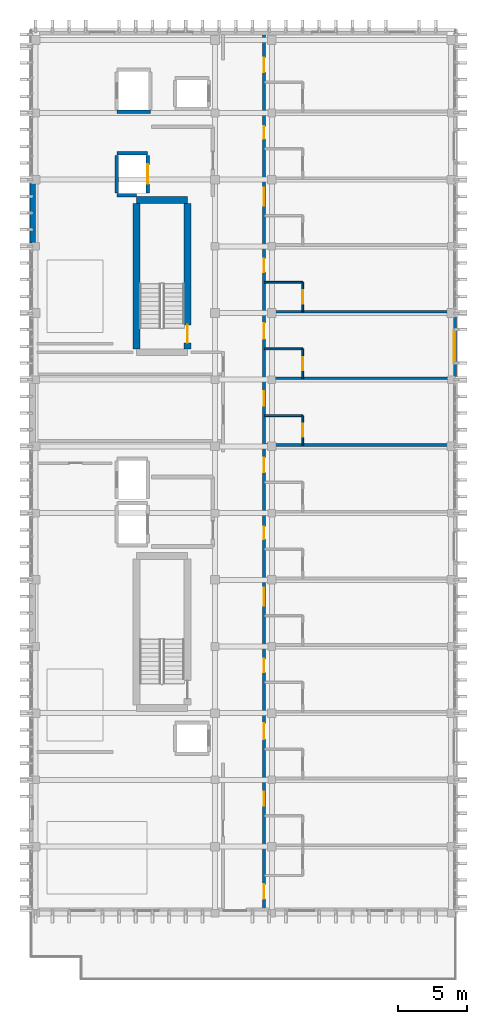
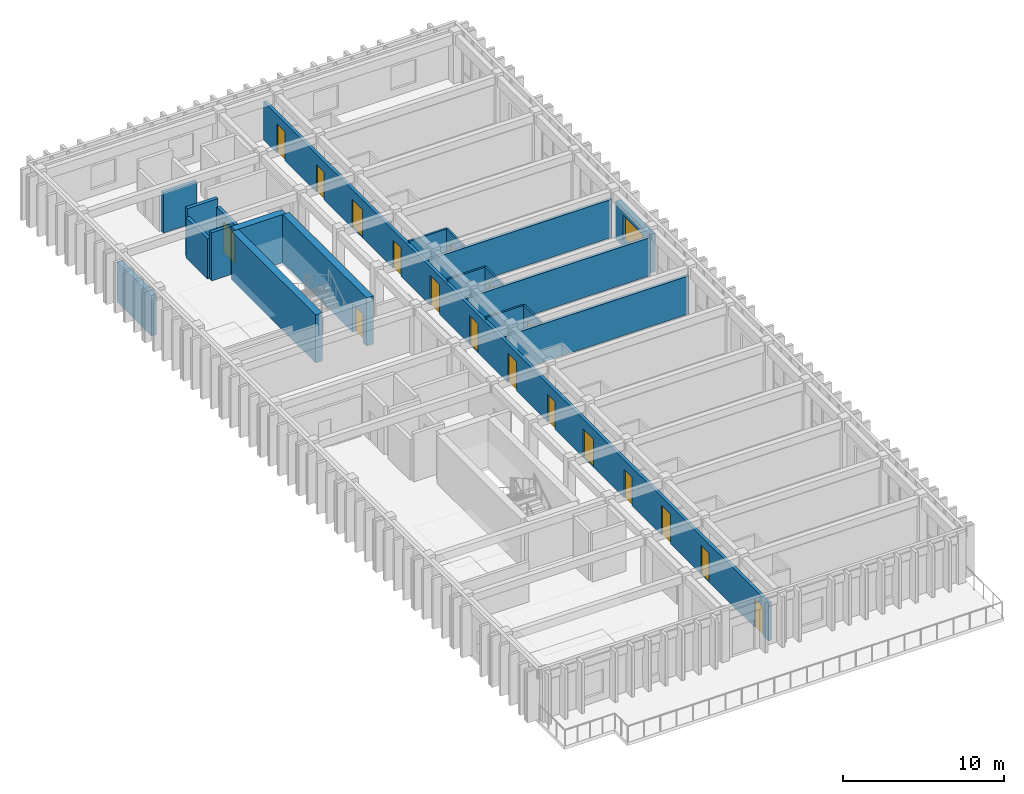
# One storey, part 43 of 50: 20 walls, 18 doors, 1 window, 19 openings.
"""IFC4 building model written with IfcOpenShell, lengths in metres."""

from ifc_helpers import new_model, si_unit, direction, frame, frame_2d, origin, place, context, subcontext, project, spatial, rectangle, extrude, material, layer, layer_set, type_object, element, fill, save


model = new_model("IFC4")

# Units and contexts
model_context = context("Model", 3, precision=1e-05, world=origin(), true_north=direction((0.0, 1.0)))
body_context = subcontext(model_context, "Body", "Model", "MODEL_VIEW")
ifc_project = project(units=[si_unit("LENGTHUNIT", "METRE"), si_unit("AREAUNIT", "SQUARE_METRE"), si_unit("VOLUMEUNIT", "CUBIC_METRE"), si_unit("PLANEANGLEUNIT", "RADIAN"), si_unit("MASSUNIT", "GRAM", prefix="KILO")], contexts=[model_context])

# Site, building, storey
site_placement = place(None, origin())
site = spatial("IfcSite", under=ifc_project, at=site_placement, CompositionType="ELEMENT")
building_placement = place(site_placement, origin())
building = spatial("IfcBuilding", under=site, at=building_placement, Name="Nakhvara Creek Congress Hotel", CompositionType="ELEMENT")
storey_placement = place(building_placement, frame((0.0, 0.0, 42.60009765625)))
storey = spatial("IfcBuildingStorey", under=building, at=storey_placement, Name="L10", CompositionType="ELEMENT", Elevation=42.60009765625)

# Walls
ifc_material_1 = material(Name="Concrete C50/60", Category="concrete")
ifc_layer_1 = layer(ifc_material_1, 0.5)
ifc_layer_set_1 = layer_set([ifc_layer_1], Name="Concrete C50/60")
wall_type_1 = type_object("IfcWallType", Name="W-CORE-500", PredefinedType="SHEAR", material=ifc_layer_set_1)
wall_1_placement = place(storey_placement, frame((156.699951171875, 113.719970703125, 0.0), z_axis=(0.0, 0.0, 1.0), x_axis=(1.0, 0.0, 0.0)))
element("IfcWall", 1, at=wall_1_placement, inside=storey, type_object=wall_type_1, Name="Core Shear Wall WS01-CWALL-L10-0485", PredefinedType="SHEAR", context=body_context, shape_type="SweptSolid", body=[
    extrude(rectangle(XDim=3.670166015625, YDim=0.5, at=frame_2d((1.8349609375, 0.0))), origin(), (0.0, 0.0, 1.0), 3.659912109375),
])
wall_2_placement = place(storey_placement, frame((156.699951171875, 103.0, 0.0), z_axis=(0.0, 0.0, 1.0), x_axis=(0.0, 1.0, 0.0)))
element("IfcWall", 2, at=wall_2_placement, inside=storey, type_object=wall_type_1, Name="Core Shear Wall WS01-CWALL-L10-0486", PredefinedType="SHEAR", context=body_context, shape_type="SweptSolid", body=[
    extrude(rectangle(XDim=10.5, YDim=0.5, at=frame_2d((5.25, 0.0))), origin(), (0.0, 0.0, 1.0), 3.659912109375),
])

# Wall, opening, door
wall_3_placement = place(storey_placement, frame((160.3701171875, 103.0, 0.0), z_axis=(0.0, 0.0, 1.0), x_axis=(0.0, 1.0, 0.0)))
wall_3 = element("IfcWall", 3, at=wall_3_placement, inside=storey, type_object=wall_type_1, Name="Core Shear Wall WS01-CWALL-L10-0487", PredefinedType="SHEAR", context=body_context, shape_type="SweptSolid", body=[
    extrude(rectangle(XDim=10.5, YDim=0.5, at=frame_2d((5.25, 0.0))), origin(), (0.0, 0.0, 1.0), 3.659912109375),
])
opening_1_placement = place(wall_3_placement, frame((0.449951171875, 0.0, 0.0)))
opening_1 = element("IfcOpeningElement", 4, at=opening_1_placement, cuts=wall_3, Name="Opening FD04", PredefinedType="OPENING", context=body_context, shape_type="SweptSolid", body=[
    extrude(rectangle(XDim=1.300048828125, YDim=2.14990234375, at=frame_2d((0.64990234375, 1.074951171875))), frame((0.0, 0.261962890625, 0.0), z_axis=(0.0, -1.0, 0.0), x_axis=(1.0, 0.0, 0.0)), (0.0, 0.0, 1.0), 0.52392578125),
])
ifc_material_2 = material(Name="Powder-coated steel fire door", Category="steel")
door_type_1 = type_object("IfcDoorType", Name="DT-STAIR-130", OperationType="NOTDEFINED", PredefinedType="DOOR", material=ifc_material_2)
door_1_placement = place(opening_1_placement, frame((1.300048828125, 0.0, 0.0), z_axis=(0.0, 0.0, 1.0), x_axis=(-1.0, 0.0, 0.0)))
door_1 = element("IfcDoor", 5, at=door_1_placement, inside=storey, type_object=door_type_1, Name="Stair Exit Door ST02-L10", OperationType="SINGLE_SWING_LEFT", OverallHeight=2.14990234375, OverallWidth=1.300048828125, PredefinedType="DOOR", context=body_context, shape_type="SweptSolid", body=[
    extrude(rectangle(XDim=1.300048828125, YDim=2.14990234375, at=frame_2d((0.64990234375, 1.074951171875))), frame((0.0, 0.02490234375, 0.0), z_axis=(0.0, -1.0, 0.0), x_axis=(1.0, 0.0, 0.0)), (0.0, 0.0, 1.0), 0.050048828125),
])
fill(opening_1, door_1)

# Wall, openings, doors
ifc_material_3 = material(Name="Gypsum acoustic board on steel stud", Category="steel")
ifc_layer_2 = layer(ifc_material_3, 0.219970703125)
ifc_layer_set_2 = layer_set([ifc_layer_2], Name="Gypsum acoustic board on steel stud")
wall_type_2 = type_object("IfcWallType", Name="W-CORR-220", PredefinedType="PARTITIONING", material=ifc_layer_set_2)
wall_4_placement = place(storey_placement, frame((165.8798828125, 62.75, 0.0), z_axis=(0.0, 0.0, 1.0), x_axis=(0.0, 1.0, 0.0)))
wall_4 = element("IfcWall", 6, at=wall_4_placement, inside=storey, type_object=wall_type_2, Name="Interior Wall WP11-IW-L10-0704", PredefinedType="PARTITIONING", context=body_context, shape_type="SweptSolid", body=[
    extrude(rectangle(XDim=62.89990234375, YDim=0.219970703125, at=frame_2d((31.449951171875, 0.0))), origin(), (0.0, 0.0, 1.0), 2.90185546875),
])
opening_2_placement = place(wall_4_placement, frame((0.69091796875, 0.0, 0.0)))
opening_2 = element("IfcOpeningElement", 7, at=opening_2_placement, cuts=wall_4, Name="Opening GD04", PredefinedType="OPENING", context=body_context, shape_type="SweptSolid", body=[
    extrude(rectangle(XDim=1.050048828125, YDim=2.219970703125, at=frame_2d((0.52490234375, 1.10986328125))), frame((0.0, 0.1220703125, 0.0), z_axis=(0.0, -1.0, 0.0), x_axis=(1.0, 0.0, 0.0)), (0.0, 0.0, 1.0), 0.243896484375),
])
opening_3_placement = place(wall_4_placement, frame((7.387939453125, 0.0, 0.0)))
opening_3 = element("IfcOpeningElement", 8, at=opening_3_placement, cuts=wall_4, Name="Opening GD01", PredefinedType="OPENING", context=body_context, shape_type="SweptSolid", body=[
    extrude(rectangle(XDim=1.02001953125, YDim=2.199951171875, at=frame_2d((0.510009765625, 1.10009765625))), frame((0.0, 0.1220703125, 0.0), z_axis=(0.0, -1.0, 0.0), x_axis=(1.0, 0.0, 0.0)), (0.0, 0.0, 1.0), 0.243896484375),
])
opening_4_placement = place(wall_4_placement, frame((12.18798828125, 0.0, 0.0)))
opening_4 = element("IfcOpeningElement", 9, at=opening_4_placement, cuts=wall_4, Name="Opening GD05", PredefinedType="OPENING", context=body_context, shape_type="SweptSolid", body=[
    extrude(rectangle(XDim=1.139892578125, YDim=2.260009765625, at=frame_2d((0.56982421875, 1.1298828125))), frame((0.0, 0.1220703125, 0.0), z_axis=(0.0, -1.0, 0.0), x_axis=(1.0, 0.0, 0.0)), (0.0, 0.0, 1.0), 0.243896484375),
])
opening_5_placement = place(wall_4_placement, frame((16.988037109375, 0.0, 0.0)))
opening_5 = element("IfcOpeningElement", 10, at=opening_5_placement, cuts=wall_4, Name="Opening MD03", PredefinedType="OPENING", context=body_context, shape_type="SweptSolid", body=[
    extrude(rectangle(XDim=0.97998046875, YDim=2.14990234375, at=frame_2d((0.489990234375, 1.074951171875))), frame((0.0, 0.1220703125, 0.0), z_axis=(0.0, -1.0, 0.0), x_axis=(1.0, 0.0, 0.0)), (0.0, 0.0, 1.0), 0.243896484375),
])
opening_6_placement = place(wall_4_placement, frame((21.7880859375, 0.0, 0.0)))
opening_6 = element("IfcOpeningElement", 11, at=opening_6_placement, cuts=wall_4, Name="Opening ID07", PredefinedType="OPENING", context=body_context, shape_type="SweptSolid", body=[
    extrude(rectangle(XDim=1.280029296875, YDim=2.159912109375, at=frame_2d((0.64013671875, 1.080078125))), frame((0.0, 0.1220703125, 0.0), z_axis=(0.0, -1.0, 0.0), x_axis=(1.0, 0.0, 0.0)), (0.0, 0.0, 1.0), 0.243896484375),
])
opening_7_placement = place(wall_4_placement, frame((26.587890625, 0.0, 0.0)))
opening_7 = element("IfcOpeningElement", 12, at=opening_7_placement, cuts=wall_4, Name="Opening ID03", PredefinedType="OPENING", context=body_context, shape_type="SweptSolid", body=[
    extrude(rectangle(XDim=0.89990234375, YDim=2.080078125, at=frame_2d((0.449951171875, 1.0400390625))), frame((0.0, 0.1220703125, 0.0), z_axis=(0.0, -1.0, 0.0), x_axis=(1.0, 0.0, 0.0)), (0.0, 0.0, 1.0), 0.243896484375),
])
opening_8_placement = place(wall_4_placement, frame((31.387939453125, 0.0, 0.0)))
opening_8 = element("IfcOpeningElement", 13, at=opening_8_placement, cuts=wall_4, Name="Opening GD04", PredefinedType="OPENING", context=body_context, shape_type="SweptSolid", body=[
    extrude(rectangle(XDim=1.050048828125, YDim=2.219970703125, at=frame_2d((0.52490234375, 1.10986328125))), frame((0.0, 0.1220703125, 0.0), z_axis=(0.0, -1.0, 0.0), x_axis=(1.0, 0.0, 0.0)), (0.0, 0.0, 1.0), 0.243896484375),
])
opening_9_placement = place(wall_4_placement, frame((36.18798828125, 0.0, 0.0)))
opening_9 = element("IfcOpeningElement", 14, at=opening_9_placement, cuts=wall_4, Name="Opening GD01", PredefinedType="OPENING", context=body_context, shape_type="SweptSolid", body=[
    extrude(rectangle(XDim=1.02001953125, YDim=2.199951171875, at=frame_2d((0.510009765625, 1.10009765625))), frame((0.0, 0.1220703125, 0.0), z_axis=(0.0, -1.0, 0.0), x_axis=(1.0, 0.0, 0.0)), (0.0, 0.0, 1.0), 0.243896484375),
])
opening_10_placement = place(wall_4_placement, frame((40.988037109375, 0.0, 0.0)))
opening_10 = element("IfcOpeningElement", 15, at=opening_10_placement, cuts=wall_4, Name="Opening GD05", PredefinedType="OPENING", context=body_context, shape_type="SweptSolid", body=[
    extrude(rectangle(XDim=1.139892578125, YDim=2.260009765625, at=frame_2d((0.56982421875, 1.1298828125))), frame((0.0, 0.1220703125, 0.0), z_axis=(0.0, -1.0, 0.0), x_axis=(1.0, 0.0, 0.0)), (0.0, 0.0, 1.0), 0.243896484375),
])
opening_11_placement = place(wall_4_placement, frame((45.7880859375, 0.0, 0.0)))
opening_11 = element("IfcOpeningElement", 16, at=opening_11_placement, cuts=wall_4, Name="Opening MD03", PredefinedType="OPENING", context=body_context, shape_type="SweptSolid", body=[
    extrude(rectangle(XDim=0.97998046875, YDim=2.14990234375, at=frame_2d((0.489990234375, 1.074951171875))), frame((0.0, 0.1220703125, 0.0), z_axis=(0.0, -1.0, 0.0), x_axis=(1.0, 0.0, 0.0)), (0.0, 0.0, 1.0), 0.243896484375),
])
opening_12_placement = place(wall_4_placement, frame((50.587890625, 0.0, 0.0)))
opening_12 = element("IfcOpeningElement", 17, at=opening_12_placement, cuts=wall_4, Name="Opening ID07", PredefinedType="OPENING", context=body_context, shape_type="SweptSolid", body=[
    extrude(rectangle(XDim=1.280029296875, YDim=2.159912109375, at=frame_2d((0.64013671875, 1.080078125))), frame((0.0, 0.1220703125, 0.0), z_axis=(0.0, -1.0, 0.0), x_axis=(1.0, 0.0, 0.0)), (0.0, 0.0, 1.0), 0.243896484375),
])
opening_13_placement = place(wall_4_placement, frame((55.387939453125, 0.0, 0.0)))
opening_13 = element("IfcOpeningElement", 18, at=opening_13_placement, cuts=wall_4, Name="Opening ID03", PredefinedType="OPENING", context=body_context, shape_type="SweptSolid", body=[
    extrude(rectangle(XDim=0.89990234375, YDim=2.080078125, at=frame_2d((0.449951171875, 1.0400390625))), frame((0.0, 0.1220703125, 0.0), z_axis=(0.0, -1.0, 0.0), x_axis=(1.0, 0.0, 0.0)), (0.0, 0.0, 1.0), 0.243896484375),
])
opening_14_placement = place(wall_4_placement, frame((60.18798828125, 0.0, 0.0)))
opening_14 = element("IfcOpeningElement", 19, at=opening_14_placement, cuts=wall_4, Name="Opening GD04", PredefinedType="OPENING", context=body_context, shape_type="SweptSolid", body=[
    extrude(rectangle(XDim=1.050048828125, YDim=2.219970703125, at=frame_2d((0.52490234375, 1.10986328125))), frame((0.0, 0.1220703125, 0.0), z_axis=(0.0, -1.0, 0.0), x_axis=(1.0, 0.0, 0.0)), (0.0, 0.0, 1.0), 0.243896484375),
])
ifc_material_4 = material(Name="Brushed stainless-clad BOH door")
door_type_2 = type_object("IfcDoorType", Name="DT-BOH-128", OperationType="NOTDEFINED", PredefinedType="DOOR", material=ifc_material_4)
door_2_placement = place(opening_6_placement, origin())
door_2 = element("IfcDoor", 20, at=door_2_placement, inside=storey, type_object=door_type_2, Name="Interior Door ID07-0522", OperationType="SINGLE_SWING_LEFT", OverallHeight=2.159912109375, OverallWidth=1.280029296875, PredefinedType="DOOR", context=body_context, shape_type="SweptSolid", body=[
    extrude(rectangle(XDim=1.280029296875, YDim=2.159912109375, at=frame_2d((0.64013671875, 1.080078125))), frame((0.0, 0.02490234375, 0.0), z_axis=(0.0, -1.0, 0.0), x_axis=(1.0, 0.0, 0.0)), (0.0, 0.0, 1.0), 0.050048828125),
])
fill(opening_6, door_2)
door_3_placement = place(opening_12_placement, origin())
door_3 = element("IfcDoor", 21, at=door_3_placement, inside=storey, type_object=door_type_2, Name="Interior Door ID07-0534", OperationType="SINGLE_SWING_LEFT", OverallHeight=2.159912109375, OverallWidth=1.280029296875, PredefinedType="DOOR", context=body_context, shape_type="SweptSolid", body=[
    extrude(rectangle(XDim=1.280029296875, YDim=2.159912109375, at=frame_2d((0.64013671875, 1.080078125))), frame((0.0, 0.02490234375, 0.0), z_axis=(0.0, -1.0, 0.0), x_axis=(1.0, 0.0, 0.0)), (0.0, 0.0, 1.0), 0.050048828125),
])
fill(opening_12, door_3)
ifc_material_5 = material(Name="Walnut hardwood timber fire door", Category="wood")
door_type_3 = type_object("IfcDoorType", Name="DT-GUEST-102", OperationType="NOTDEFINED", PredefinedType="DOOR", material=ifc_material_5)
door_4_placement = place(opening_3_placement, origin())
door_4 = element("IfcDoor", 22, at=door_4_placement, inside=storey, type_object=door_type_3, Name="Interior Door GD01-0516", OperationType="SINGLE_SWING_LEFT", OverallHeight=2.199951171875, OverallWidth=1.02001953125, PredefinedType="DOOR", context=body_context, shape_type="SweptSolid", body=[
    extrude(rectangle(XDim=1.02001953125, YDim=2.199951171875, at=frame_2d((0.510009765625, 1.10009765625))), frame((0.0, 0.02490234375, 0.0), z_axis=(0.0, -1.0, 0.0), x_axis=(1.0, 0.0, 0.0)), (0.0, 0.0, 1.0), 0.050048828125),
])
fill(opening_3, door_4)
door_5_placement = place(opening_9_placement, origin())
door_5 = element("IfcDoor", 23, at=door_5_placement, inside=storey, type_object=door_type_3, Name="Interior Door GD01-0528", OperationType="SINGLE_SWING_LEFT", OverallHeight=2.199951171875, OverallWidth=1.02001953125, PredefinedType="DOOR", context=body_context, shape_type="SweptSolid", body=[
    extrude(rectangle(XDim=1.02001953125, YDim=2.199951171875, at=frame_2d((0.510009765625, 1.10009765625))), frame((0.0, 0.02490234375, 0.0), z_axis=(0.0, -1.0, 0.0), x_axis=(1.0, 0.0, 0.0)), (0.0, 0.0, 1.0), 0.050048828125),
])
fill(opening_9, door_5)
door_type_4 = type_object("IfcDoorType", Name="DT-GUEST-105", OperationType="NOTDEFINED", PredefinedType="DOOR", material=ifc_material_5)
door_6_placement = place(opening_2_placement, origin())
door_6 = element("IfcDoor", 24, at=door_6_placement, inside=storey, type_object=door_type_4, Name="Interior Door GD04-0514", OperationType="SINGLE_SWING_LEFT", OverallHeight=2.219970703125, OverallWidth=1.050048828125, PredefinedType="DOOR", context=body_context, shape_type="SweptSolid", body=[
    extrude(rectangle(XDim=1.050048828125, YDim=2.219970703125, at=frame_2d((0.52490234375, 1.10986328125))), frame((0.0, 0.02490234375, 0.0), z_axis=(0.0, -1.0, 0.0), x_axis=(1.0, 0.0, 0.0)), (0.0, 0.0, 1.0), 0.050048828125),
])
fill(opening_2, door_6)
door_7_placement = place(opening_8_placement, origin())
door_7 = element("IfcDoor", 25, at=door_7_placement, inside=storey, type_object=door_type_4, Name="Interior Door GD04-0526", OperationType="SINGLE_SWING_LEFT", OverallHeight=2.219970703125, OverallWidth=1.050048828125, PredefinedType="DOOR", context=body_context, shape_type="SweptSolid", body=[
    extrude(rectangle(XDim=1.050048828125, YDim=2.219970703125, at=frame_2d((0.52490234375, 1.10986328125))), frame((0.0, 0.02490234375, 0.0), z_axis=(0.0, -1.0, 0.0), x_axis=(1.0, 0.0, 0.0)), (0.0, 0.0, 1.0), 0.050048828125),
])
fill(opening_8, door_7)
door_8_placement = place(opening_14_placement, origin())
door_8 = element("IfcDoor", 26, at=door_8_placement, inside=storey, type_object=door_type_4, Name="Interior Door GD04-0538", OperationType="SINGLE_SWING_LEFT", OverallHeight=2.219970703125, OverallWidth=1.050048828125, PredefinedType="DOOR", context=body_context, shape_type="SweptSolid", body=[
    extrude(rectangle(XDim=1.050048828125, YDim=2.219970703125, at=frame_2d((0.52490234375, 1.10986328125))), frame((0.0, 0.02490234375, 0.0), z_axis=(0.0, -1.0, 0.0), x_axis=(1.0, 0.0, 0.0)), (0.0, 0.0, 1.0), 0.050048828125),
])
fill(opening_14, door_8)
door_type_5 = type_object("IfcDoorType", Name="DT-GUEST-114", OperationType="NOTDEFINED", PredefinedType="DOOR", material=ifc_material_5)
door_9_placement = place(opening_4_placement, origin())
door_9 = element("IfcDoor", 27, at=door_9_placement, inside=storey, type_object=door_type_5, Name="Interior Door GD05-0518", OperationType="SINGLE_SWING_LEFT", OverallHeight=2.260009765625, OverallWidth=1.139892578125, PredefinedType="DOOR", context=body_context, shape_type="SweptSolid", body=[
    extrude(rectangle(XDim=1.139892578125, YDim=2.260009765625, at=frame_2d((0.56982421875, 1.1298828125))), frame((0.0, 0.02490234375, 0.0), z_axis=(0.0, -1.0, 0.0), x_axis=(1.0, 0.0, 0.0)), (0.0, 0.0, 1.0), 0.050048828125),
])
fill(opening_4, door_9)
door_10_placement = place(opening_10_placement, origin())
door_10 = element("IfcDoor", 28, at=door_10_placement, inside=storey, type_object=door_type_5, Name="Interior Door GD05-0530", OperationType="SINGLE_SWING_LEFT", OverallHeight=2.260009765625, OverallWidth=1.139892578125, PredefinedType="DOOR", context=body_context, shape_type="SweptSolid", body=[
    extrude(rectangle(XDim=1.139892578125, YDim=2.260009765625, at=frame_2d((0.56982421875, 1.1298828125))), frame((0.0, 0.02490234375, 0.0), z_axis=(0.0, -1.0, 0.0), x_axis=(1.0, 0.0, 0.0)), (0.0, 0.0, 1.0), 0.050048828125),
])
fill(opening_10, door_10)
ifc_material_6 = material(Name="Acoustic ISO 2603 sound-lock timber door", Category="wood")
door_type_6 = type_object("IfcDoorType", Name="DT-ISO-098", OperationType="NOTDEFINED", PredefinedType="DOOR", material=ifc_material_6)
door_11_placement = place(opening_5_placement, origin())
door_11 = element("IfcDoor", 29, at=door_11_placement, inside=storey, type_object=door_type_6, Name="Interior Door MD03-0520", OperationType="SINGLE_SWING_LEFT", OverallHeight=2.14990234375, OverallWidth=0.97998046875, PredefinedType="DOOR", context=body_context, shape_type="SweptSolid", body=[
    extrude(rectangle(XDim=0.97998046875, YDim=2.14990234375, at=frame_2d((0.489990234375, 1.074951171875))), frame((0.0, 0.02490234375, 0.0), z_axis=(0.0, -1.0, 0.0), x_axis=(1.0, 0.0, 0.0)), (0.0, 0.0, 1.0), 0.050048828125),
])
fill(opening_5, door_11)
door_12_placement = place(opening_11_placement, origin())
door_12 = element("IfcDoor", 30, at=door_12_placement, inside=storey, type_object=door_type_6, Name="Interior Door MD03-0532", OperationType="SINGLE_SWING_LEFT", OverallHeight=2.14990234375, OverallWidth=0.97998046875, PredefinedType="DOOR", context=body_context, shape_type="SweptSolid", body=[
    extrude(rectangle(XDim=0.97998046875, YDim=2.14990234375, at=frame_2d((0.489990234375, 1.074951171875))), frame((0.0, 0.02490234375, 0.0), z_axis=(0.0, -1.0, 0.0), x_axis=(1.0, 0.0, 0.0)), (0.0, 0.0, 1.0), 0.050048828125),
])
fill(opening_11, door_12)
ifc_material_7 = material(Name="Moisture-resistant laminate timber door", Category="wood")
door_type_7 = type_object("IfcDoorType", Name="DT-WC-090", OperationType="NOTDEFINED", PredefinedType="DOOR", material=ifc_material_7)
door_13_placement = place(opening_7_placement, origin())
door_13 = element("IfcDoor", 31, at=door_13_placement, inside=storey, type_object=door_type_7, Name="Interior Door ID03-0524", OperationType="SINGLE_SWING_LEFT", OverallHeight=2.080078125, OverallWidth=0.89990234375, PredefinedType="DOOR", context=body_context, shape_type="SweptSolid", body=[
    extrude(rectangle(XDim=0.89990234375, YDim=2.080078125, at=frame_2d((0.449951171875, 1.0400390625))), frame((0.0, 0.02490234375, 0.0), z_axis=(0.0, -1.0, 0.0), x_axis=(1.0, 0.0, 0.0)), (0.0, 0.0, 1.0), 0.050048828125),
])
fill(opening_7, door_13)
door_14_placement = place(opening_13_placement, origin())
door_14 = element("IfcDoor", 32, at=door_14_placement, inside=storey, type_object=door_type_7, Name="Interior Door ID03-0536", OperationType="SINGLE_SWING_LEFT", OverallHeight=2.080078125, OverallWidth=0.89990234375, PredefinedType="DOOR", context=body_context, shape_type="SweptSolid", body=[
    extrude(rectangle(XDim=0.89990234375, YDim=2.080078125, at=frame_2d((0.449951171875, 1.0400390625))), frame((0.0, 0.02490234375, 0.0), z_axis=(0.0, -1.0, 0.0), x_axis=(1.0, 0.0, 0.0)), (0.0, 0.0, 1.0), 0.050048828125),
])
fill(opening_13, door_14)

# Wall, opening, door
ifc_material_8 = material(Name="Moisture-resistant gypsum board partition")
ifc_layer_3 = layer(ifc_material_8, 0.139892578125)
ifc_layer_set_3 = layer_set([ifc_layer_3], Name="Moisture-resistant gypsum board partition")
wall_type_3 = type_object("IfcWallType", Name="W-ENS-140", PredefinedType="PARTITIONING", material=ifc_layer_set_3)
wall_5_placement = place(storey_placement, frame((168.669921875, 96.10009765625, 0.0), z_axis=(0.0, 0.0, 1.0), x_axis=(0.0, 1.0, 0.0)))
wall_5 = element("IfcWall", 33, at=wall_5_placement, inside=storey, type_object=wall_type_3, Name="Interior Wall WP15-IW-L10-0733", PredefinedType="PARTITIONING", context=body_context, shape_type="SweptSolid", body=[
    extrude(rectangle(XDim=2.115966796875, YDim=0.139892578125, at=frame_2d((1.05810546875, 0.0))), origin(), (0.0, 0.0, 1.0), 3.072021484375),
])
opening_15_placement = place(wall_5_placement, frame((0.5830078125, 0.0, 0.0)))
opening_15 = element("IfcOpeningElement", 34, at=opening_15_placement, cuts=wall_5, Name="Opening ID02", PredefinedType="OPENING", context=body_context, shape_type="SweptSolid", body=[
    extrude(rectangle(XDim=0.9599609375, YDim=2.1201171875, at=frame_2d((0.47998046875, 1.06005859375))), frame((0.0, 0.08203125, 0.0), z_axis=(0.0, -1.0, 0.0), x_axis=(1.0, 0.0, 0.0)), (0.0, 0.0, 1.0), 0.163818359375),
])
ifc_material_9 = material(Name="Moisture-resistant walnut timber door", Category="wood")
door_type_8 = type_object("IfcDoorType", Name="DT-ENS-096", OperationType="NOTDEFINED", PredefinedType="DOOR", material=ifc_material_9)
door_15_placement = place(opening_15_placement, frame((0.9599609375, 0.0, 0.0), z_axis=(0.0, 0.0, 1.0), x_axis=(-1.0, 0.0, 0.0)))
door_15 = element("IfcDoor", 35, at=door_15_placement, inside=storey, type_object=door_type_8, Name="Interior Door ID02-0529", OperationType="SINGLE_SWING_RIGHT", OverallHeight=2.1201171875, OverallWidth=0.9599609375, PredefinedType="DOOR", context=body_context, shape_type="SweptSolid", body=[
    extrude(rectangle(XDim=0.9599609375, YDim=2.1201171875, at=frame_2d((0.47998046875, 1.06005859375))), frame((0.0, 0.02490234375, 0.0), z_axis=(0.0, -1.0, 0.0), x_axis=(1.0, 0.0, 0.0)), (0.0, 0.0, 1.0), 0.050048828125),
])
fill(opening_15, door_15)

# Wall
wall_6_placement = place(storey_placement, frame((165.919921875, 98.216064453125, 0.0), z_axis=(0.0, 0.0, 1.0), x_axis=(1.0, 0.0, 0.0)))
element("IfcWall", 36, at=wall_6_placement, inside=storey, type_object=wall_type_3, Name="Interior Wall WP15-IW-L10-0734", PredefinedType="PARTITIONING", context=body_context, shape_type="SweptSolid", body=[
    extrude(rectangle(XDim=2.75, YDim=0.139892578125, at=frame_2d((1.375, 0.0))), origin(), (0.0, 0.0, 1.0), 3.072021484375),
])

# Wall, opening, door
wall_7_placement = place(storey_placement, frame((168.669921875, 100.89990234375, 0.0), z_axis=(0.0, 0.0, 1.0), x_axis=(0.0, 1.0, 0.0)))
wall_7 = element("IfcWall", 37, at=wall_7_placement, inside=storey, type_object=wall_type_3, Name="Interior Wall WP15-IW-L10-0736", PredefinedType="PARTITIONING", context=body_context, shape_type="SweptSolid", body=[
    extrude(rectangle(XDim=2.1162109375, YDim=0.139892578125, at=frame_2d((1.05810546875, 0.0))), origin(), (0.0, 0.0, 1.0), 3.072021484375),
])
opening_16_placement = place(wall_7_placement, frame((0.5830078125, 0.0, 0.0)))
opening_16 = element("IfcOpeningElement", 38, at=opening_16_placement, cuts=wall_7, Name="Opening ID01", PredefinedType="OPENING", context=body_context, shape_type="SweptSolid", body=[
    extrude(rectangle(XDim=0.919921875, YDim=2.10009765625, at=frame_2d((0.4599609375, 1.050048828125))), frame((0.0, 0.08203125, 0.0), z_axis=(0.0, -1.0, 0.0), x_axis=(1.0, 0.0, 0.0)), (0.0, 0.0, 1.0), 0.163818359375),
])
door_type_9 = type_object("IfcDoorType", Name="DT-ENS-092", OperationType="NOTDEFINED", PredefinedType="DOOR", material=ifc_material_9)
door_16_placement = place(opening_16_placement, frame((0.919921875, 0.0, 0.0), z_axis=(0.0, 0.0, 1.0), x_axis=(-1.0, 0.0, 0.0)))
door_16 = element("IfcDoor", 39, at=door_16_placement, inside=storey, type_object=door_type_9, Name="Interior Door ID01-0531", OperationType="SINGLE_SWING_RIGHT", OverallHeight=2.10009765625, OverallWidth=0.919921875, PredefinedType="DOOR", context=body_context, shape_type="SweptSolid", body=[
    extrude(rectangle(XDim=0.919921875, YDim=2.10009765625, at=frame_2d((0.4599609375, 1.050048828125))), frame((0.0, 0.02490234375, 0.0), z_axis=(0.0, -1.0, 0.0), x_axis=(1.0, 0.0, 0.0)), (0.0, 0.0, 1.0), 0.050048828125),
])
fill(opening_16, door_16)

# Wall
wall_8_placement = place(storey_placement, frame((165.919921875, 103.01611328125, 0.0), z_axis=(0.0, 0.0, 1.0), x_axis=(1.0, 0.0, 0.0)))
element("IfcWall", 40, at=wall_8_placement, inside=storey, type_object=wall_type_3, Name="Interior Wall WP15-IW-L10-0737", PredefinedType="PARTITIONING", context=body_context, shape_type="SweptSolid", body=[
    extrude(rectangle(XDim=2.75, YDim=0.139892578125, at=frame_2d((1.375, 0.0))), origin(), (0.0, 0.0, 1.0), 3.072021484375),
])

# Wall, opening, door
wall_9_placement = place(storey_placement, frame((168.669921875, 105.699951171875, 0.0), z_axis=(0.0, 0.0, 1.0), x_axis=(0.0, 1.0, 0.0)))
wall_9 = element("IfcWall", 41, at=wall_9_placement, inside=storey, type_object=wall_type_3, Name="Interior Wall WP15-IW-L10-0739", PredefinedType="PARTITIONING", context=body_context, shape_type="SweptSolid", body=[
    extrude(rectangle(XDim=2.115966796875, YDim=0.139892578125, at=frame_2d((1.05810546875, 0.0))), origin(), (0.0, 0.0, 1.0), 3.072021484375),
])
opening_17_placement = place(wall_9_placement, frame((0.5830078125, 0.0, 0.0)))
opening_17 = element("IfcOpeningElement", 42, at=opening_17_placement, cuts=wall_9, Name="Opening ID02", PredefinedType="OPENING", context=body_context, shape_type="SweptSolid", body=[
    extrude(rectangle(XDim=0.9599609375, YDim=2.1201171875, at=frame_2d((0.47998046875, 1.06005859375))), frame((0.0, 0.08203125, 0.0), z_axis=(0.0, -1.0, 0.0), x_axis=(1.0, 0.0, 0.0)), (0.0, 0.0, 1.0), 0.163818359375),
])
door_17_placement = place(opening_17_placement, frame((0.9599609375, 0.0, 0.0), z_axis=(0.0, 0.0, 1.0), x_axis=(-1.0, 0.0, 0.0)))
door_17 = element("IfcDoor", 43, at=door_17_placement, inside=storey, type_object=door_type_8, Name="Interior Door ID02-0533", OperationType="SINGLE_SWING_RIGHT", OverallHeight=2.1201171875, OverallWidth=0.9599609375, PredefinedType="DOOR", context=body_context, shape_type="SweptSolid", body=[
    extrude(rectangle(XDim=0.9599609375, YDim=2.1201171875, at=frame_2d((0.47998046875, 1.06005859375))), frame((0.0, 0.02490234375, 0.0), z_axis=(0.0, -1.0, 0.0), x_axis=(1.0, 0.0, 0.0)), (0.0, 0.0, 1.0), 0.050048828125),
])
fill(opening_17, door_17)

# Wall
wall_10_placement = place(storey_placement, frame((165.919921875, 107.81591796875, 0.0), z_axis=(0.0, 0.0, 1.0), x_axis=(1.0, 0.0, 0.0)))
element("IfcWall", 44, at=wall_10_placement, inside=storey, type_object=wall_type_3, Name="Interior Wall WP15-IW-L10-0740", PredefinedType="PARTITIONING", context=body_context, shape_type="SweptSolid", body=[
    extrude(rectangle(XDim=2.75, YDim=0.139892578125, at=frame_2d((1.375, 0.0))), origin(), (0.0, 0.0, 1.0), 3.072021484375),
])

# Wall, opening, window
ifc_material_10 = material(Name="Honed pale Omani limestone cladding", Category="masonry")
ifc_layer_4 = layer(ifc_material_10, 0.050048828125)
ifc_material_11 = material(Name="Mineral wool thermal insulation")
ifc_layer_5 = layer(ifc_material_11, 0.110107421875)
ifc_material_12 = material(Name="Precast concrete C40/50", Category="concrete")
ifc_layer_6 = layer(ifc_material_12, 0.219970703125)
ifc_layer_set_4 = layer_set([ifc_layer_4, ifc_layer_5, ifc_layer_6], Name="Precast concrete C40/50")
wall_type_4 = type_object("IfcWallType", Name="W-EXT-380", PredefinedType="SOLIDWALL", material=ifc_layer_set_4)
wall_11_placement = place(storey_placement, frame((179.56005859375, 105.31494140625, 0.0), z_axis=(0.0, 0.0, 1.0), x_axis=(0.0, -1.0, 0.0)))
wall_11 = element("IfcWall", 45, at=wall_11_placement, inside=storey, type_object=wall_type_4, Name="Exterior Wall WE03-EW-L10-0218", PredefinedType="SOLIDWALL", context=body_context, shape_type="SweptSolid", body=[
    extrude(rectangle(XDim=4.264892578125, YDim=0.3798828125, at=frame_2d((2.13232421875, 0.0))), origin(), (0.0, 0.0, 1.0), 2.90185546875),
])
opening_18_placement = place(wall_11_placement, frame((0.9326171875, 0.0, 0.550048828125)))
opening_18 = element("IfcOpeningElement", 46, at=opening_18_placement, cuts=wall_11, Name="Opening WN0239", PredefinedType="OPENING", context=body_context, shape_type="SweptSolid", body=[
    extrude(rectangle(XDim=2.39990234375, YDim=1.800048828125, at=frame_2d((1.199951171875, 0.89990234375))), frame((0.0, 0.201904296875, 0.0), z_axis=(0.0, -1.0, 0.0), x_axis=(1.0, 0.0, 0.0)), (0.0, 0.0, 1.0), 0.40380859375),
])
ifc_material_13 = material(Name="Thermally broken bronze-anodised aluminium and double-silver low-E insulated glass", Category="aluminium")
window_type = type_object("IfcWindowType", Name="WN-LAN-240X240", PartitioningType="SINGLE_PANEL", PredefinedType="WINDOW", material=ifc_material_13)
window_placement = place(opening_18_placement, origin())
window = element("IfcWindow", 47, at=window_placement, inside=storey, type_object=window_type, Name="Facade Window WN0239", OverallHeight=1.800048828125, OverallWidth=2.39990234375, PartitioningType="SINGLE_PANEL", PredefinedType="WINDOW", context=body_context, shape_type="SweptSolid", body=[
    extrude(rectangle(XDim=2.39990234375, YDim=1.800048828125, at=frame_2d((1.199951171875, 0.89990234375))), frame((0.0, 0.030029296875, 0.0), z_axis=(0.0, -1.0, 0.0), x_axis=(1.0, 0.0, 0.0)), (0.0, 0.0, 1.0), 0.06005859375),
])
fill(opening_18, window)

# Walls
wall_12_placement = place(storey_placement, frame((149.239990234375, 110.64990234375, 0.0), z_axis=(0.0, 0.0, 1.0), x_axis=(0.0, 1.0, 0.0)))
element("IfcWall", 48, at=wall_12_placement, inside=storey, type_object=wall_type_4, Name="Exterior Wall WE03-EW-L10-0219", PredefinedType="SOLIDWALL", context=body_context, shape_type="SweptSolid", body=[
    extrude(rectangle(XDim=4.26513671875, YDim=0.3798828125, at=frame_2d((2.132568359375, 0.0))), origin(), (0.0, 0.0, 1.0), 3.072021484375),
])
ifc_layer_7 = layer(ifc_material_3, 0.199951171875)
ifc_layer_set_5 = layer_set([ifc_layer_7], Name="Gypsum acoustic board on steel stud")
wall_type_5 = type_object("IfcWallType", Name="W-PART-200", PredefinedType="PARTITIONING", material=ifc_layer_set_5)
for number, where, z_axis, x_axis, name in (
    (49, (166.02001953125, 96.10009765625, 0.0), (0.0, 0.0, 1.0), (1.0, 0.0, 0.0), "Interior Wall WP12-IW-L10-0732"),
    (50, (166.02001953125, 100.89990234375, 0.0), (0.0, 0.0, 1.0), (1.0, 0.0, 0.0), "Interior Wall WP12-IW-L10-0735"),
    (51, (166.02001953125, 105.699951171875, 0.0), (0.0, 0.0, 1.0), (1.0, 0.0, 0.0), "Interior Wall WP12-IW-L10-0738"),
):
    element("IfcWall", number, at=place(storey_placement, frame(where, z_axis=z_axis, x_axis=x_axis)), inside=storey, type_object=wall_type_5, Name=name, PredefinedType="PARTITIONING", context=body_context, shape_type="SweptSolid", body=[
        extrude(rectangle(XDim=13.22998046875, YDim=0.199951171875, at=frame_2d((6.614990234375, 0.0))), origin(), (0.0, 0.0, 1.0), 2.90185546875),
    ])
ifc_material_14 = material(Name="Concrete C40/50", Category="concrete")
ifc_layer_8 = layer(ifc_material_14, 0.25)
ifc_layer_set_6 = layer_set([ifc_layer_8], Name="Concrete C40/50")
wall_type_6 = type_object("IfcWallType", Name="W-SHAFT-250", PredefinedType="SOLIDWALL", material=ifc_layer_set_6)
wall_13_placement = place(storey_placement, frame((155.2900390625, 114.090087890625, 0.0), z_axis=(0.0, 0.0, 1.0), x_axis=(1.0, 0.0, 0.0)))
element("IfcWall", 52, at=wall_13_placement, inside=storey, type_object=wall_type_6, Name="Core Shear Wall WI02-CWALL-L10-0488", PredefinedType="SOLIDWALL", context=body_context, shape_type="SweptSolid", body=[
    extrude(rectangle(XDim=1.39990234375, YDim=0.25, at=frame_2d((0.699951171875, 0.0))), origin(), (0.0, 0.0, 1.0), 3.659912109375),
])
wall_14_placement = place(storey_placement, frame((155.2900390625, 117.110107421875, 0.0), z_axis=(0.0, 0.0, 1.0), x_axis=(1.0, 0.0, 0.0)))
element("IfcWall", 53, at=wall_14_placement, inside=storey, type_object=wall_type_6, Name="Core Shear Wall WI02-CWALL-L10-0489", PredefinedType="SOLIDWALL", context=body_context, shape_type="SweptSolid", body=[
    extrude(rectangle(XDim=2.219970703125, YDim=0.25, at=frame_2d((1.10986328125, 0.0))), origin(), (0.0, 0.0, 1.0), 3.659912109375),
])
wall_15_placement = place(storey_placement, frame((155.2900390625, 114.25, 0.0), z_axis=(0.0, 0.0, 1.0), x_axis=(0.0, 1.0, 0.0)))
element("IfcWall", 54, at=wall_15_placement, inside=storey, type_object=wall_type_6, Name="Core Shear Wall WI02-CWALL-L10-0490", PredefinedType="SOLIDWALL", context=body_context, shape_type="SweptSolid", body=[
    extrude(rectangle(XDim=2.699951171875, YDim=0.25, at=frame_2d((1.35009765625, 0.0))), origin(), (0.0, 0.0, 1.0), 3.072021484375),
])

# Wall, opening, door
wall_16_placement = place(storey_placement, frame((157.510009765625, 114.25, 0.0), z_axis=(0.0, 0.0, 1.0), x_axis=(0.0, 1.0, 0.0)))
wall_16 = element("IfcWall", 55, at=wall_16_placement, inside=storey, type_object=wall_type_6, Name="Core Shear Wall WI02-CWALL-L10-0491", PredefinedType="SOLIDWALL", context=body_context, shape_type="SweptSolid", body=[
    extrude(rectangle(XDim=2.699951171875, YDim=0.25, at=frame_2d((1.35009765625, 0.0))), origin(), (0.0, 0.0, 1.0), 3.072021484375),
])
opening_19_placement = place(wall_16_placement, frame((0.64990234375, 0.0, 0.0)))
opening_19 = element("IfcOpeningElement", 56, at=opening_19_placement, cuts=wall_16, Name="Opening LD02", PredefinedType="OPENING", context=body_context, shape_type="SweptSolid", body=[
    extrude(rectangle(XDim=1.39990234375, YDim=2.300048828125, at=frame_2d((0.699951171875, 1.14990234375))), frame((0.0, 0.136962890625, 0.0), z_axis=(0.0, -1.0, 0.0), x_axis=(1.0, 0.0, 0.0)), (0.0, 0.0, 1.0), 0.27392578125),
])
ifc_material_15 = material(Name="Brushed stainless steel heavy goods landing door", Category="steel")
door_type_10 = type_object("IfcDoorType", Name="DT-LIFT-140", OperationType="DOUBLE_DOOR_SLIDING", PredefinedType="DOOR", material=ifc_material_15)
door_18_placement = place(opening_19_placement, origin())
door_18 = element("IfcDoor", 57, at=door_18_placement, inside=storey, type_object=door_type_10, Name="Landing Door FFL2-L10", OperationType="SLIDING_TO_LEFT", OverallHeight=2.300048828125, OverallWidth=1.39990234375, PredefinedType="DOOR", context=body_context, shape_type="SweptSolid", body=[
    extrude(rectangle(XDim=1.39990234375, YDim=2.300048828125, at=frame_2d((0.699951171875, 1.14990234375))), frame((0.0, 0.02490234375, 0.0), z_axis=(0.0, -1.0, 0.0), x_axis=(1.0, 0.0, 0.0)), (0.0, 0.0, 1.0), 0.050048828125),
])
fill(opening_19, door_18)

# Wall
wall_17_placement = place(storey_placement, frame((155.2900390625, 120.090087890625, 0.0), z_axis=(0.0, 0.0, 1.0), x_axis=(1.0, 0.0, 0.0)))
element("IfcWall", 58, at=wall_17_placement, inside=storey, type_object=wall_type_6, Name="Core Shear Wall WI02-CWALL-L10-0496", PredefinedType="SOLIDWALL", context=body_context, shape_type="SweptSolid", body=[
    extrude(rectangle(XDim=2.419921875, YDim=0.25, at=frame_2d((1.2099609375, 0.0))), origin(), (0.0, 0.0, 1.0), 3.072021484375),
])

save(model, "model.ifc")
